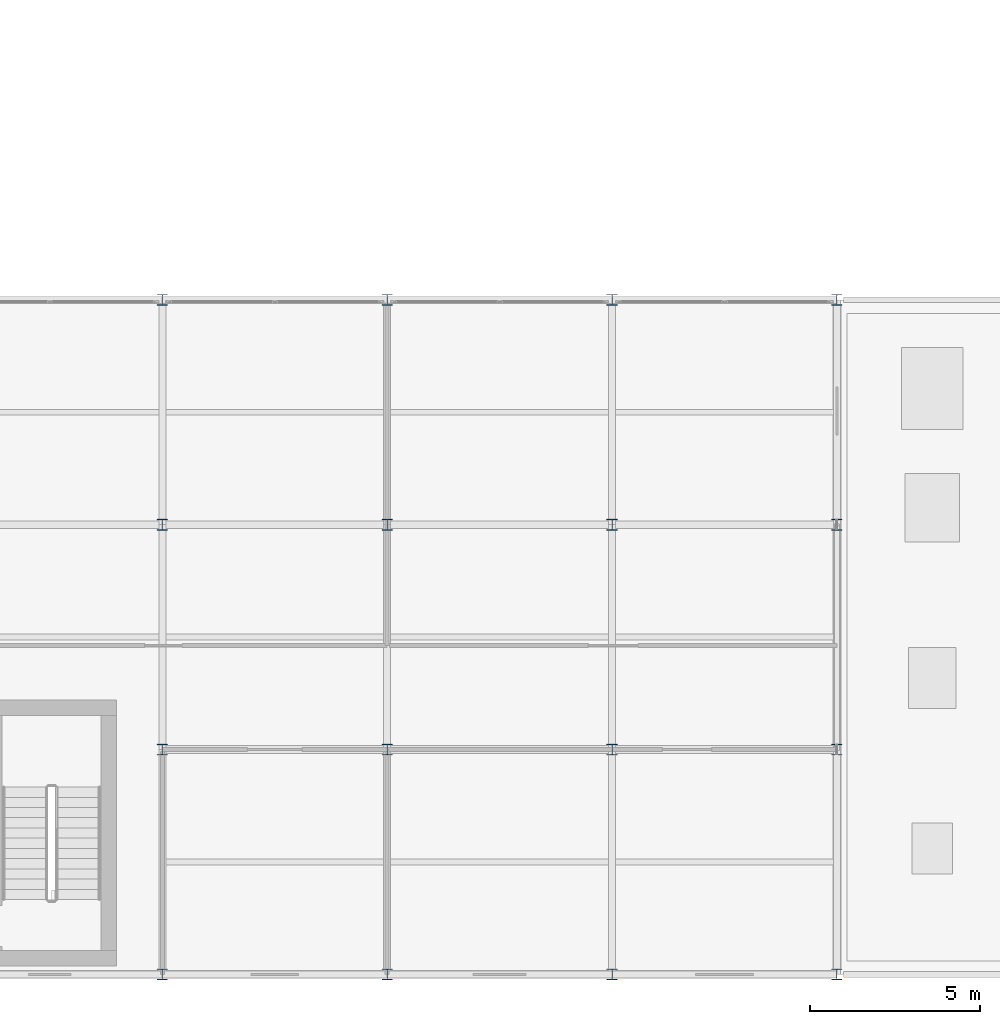
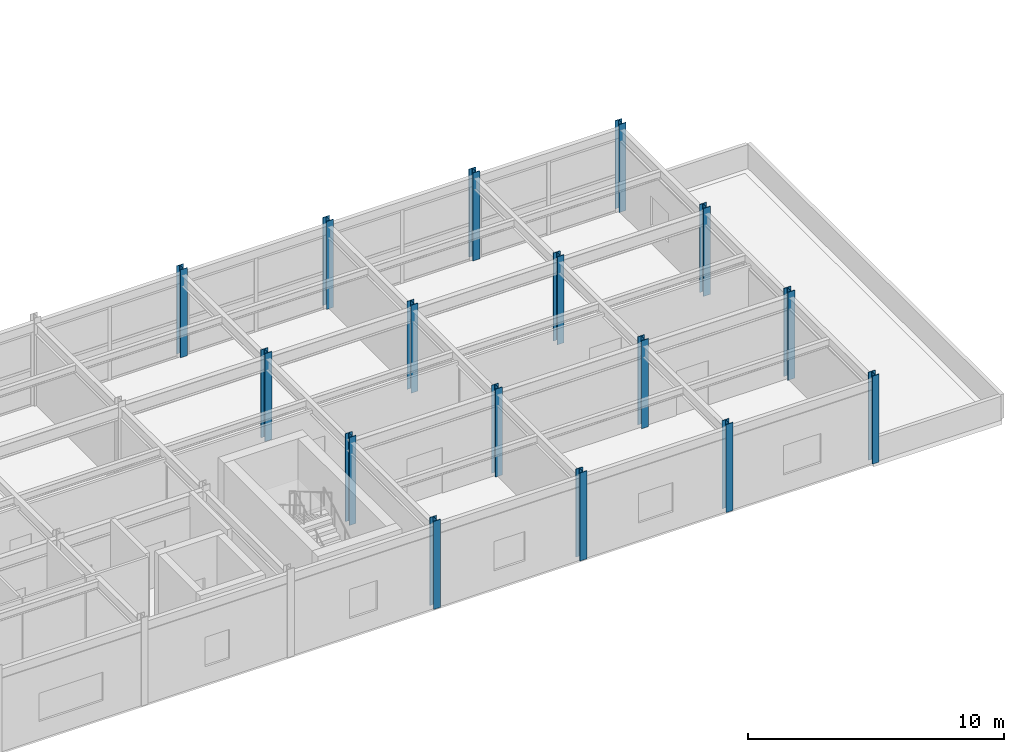
# One storey, part 15 of 106: 16 columns.
"""IFC4 building model written with IfcOpenShell, lengths in metres."""

import ifcopenshell
import ifcopenshell.guid

model = None  # the IFC model being written
_history = None  # IfcOwnerHistory: only IFC2X3 demands one
_inside = {}  # id of a spatial element -> (the spatial element, [elements in it])
_under = {}  # id of a project, library or spatial element -> (it, [spatial elements below it])
_declared = {}  # id of a project -> (the project, [libraries it declares])
_typed = {}  # id of a type object -> (the type object, [elements of that type])
_made_of = {}  # id of a material, layer set ... -> (it, [elements and type objects made of it])


def new_model(schema):
    """Start an empty IFC model of exactly this schema.

    Asked for "IFC4X3", IfcOpenShell would pick the latest addendum, in which some entities
    have other attributes; the version numbers below select the first issue.
    IFC2X3 requires an IfcOwnerHistory on every rooted entity: one is made here for all.
    """
    global model, _history
    if schema == "IFC4X3":
        model = ifcopenshell.file(schema_version=(4, 3, 0, 0))
    else:
        model = ifcopenshell.file(schema=schema)
    _inside.clear()
    _under.clear()
    _declared.clear()
    _typed.clear()
    _made_of.clear()
    _history = None
    if model.schema == "IFC2X3":
        org = make("IfcOrganization", Name="unknown")
        user = make(
            "IfcPersonAndOrganization",
            ThePerson=make("IfcPerson", FamilyName="unknown"),
            TheOrganization=org,
        )
        app = make(
            "IfcApplication",
            ApplicationDeveloper=org,
            Version="unknown",
            ApplicationFullName="unknown",
            ApplicationIdentifier="unknown",
        )
        _history = make(
            "IfcOwnerHistory",
            OwningUser=user,
            OwningApplication=app,
            ChangeAction="ADDED",
            CreationDate=0,
        )
    return model


def make(cls, **values):
    """One entity of the class cls with the attributes given. An attribute that is None is left unset."""
    return model.create_entity(
        cls, **{name: value for name, value in values.items() if value is not None}
    )


def rooted(cls, **values):
    """An entity with a GlobalId (a new one), such as an element, a storey or a relation."""
    return make(cls, GlobalId=ifcopenshell.guid.new(), OwnerHistory=_history, **values)


def si_unit(unit_type, name, prefix=None):
    """IfcSIUnit, for example si_unit("LENGTHUNIT", "METRE", prefix="MILLI")."""
    return make("IfcSIUnit", UnitType=unit_type, Prefix=prefix, Name=name)


def assignment(units):
    """IfcUnitAssignment: the units of a project."""
    return None if units is None else make("IfcUnitAssignment", Units=units)


def point(xyz):
    """IfcCartesianPoint."""
    return None if xyz is None else make("IfcCartesianPoint", Coordinates=xyz)


def direction(xyz):
    """IfcDirection."""
    return None if xyz is None else make("IfcDirection", DirectionRatios=xyz)


def frame(location, z_axis=None, x_axis=None):
    """IfcAxis2Placement3D, a coordinate frame: its origin and axes. An axis left out is left unset."""
    return make(
        "IfcAxis2Placement3D",
        Location=point(location),
        Axis=direction(z_axis),
        RefDirection=direction(x_axis),
    )


def frame_2d(location, x_axis=None):
    """IfcAxis2Placement2D, a coordinate frame in the plane: its origin and x axis."""
    return make(
        "IfcAxis2Placement2D", Location=point(location), RefDirection=direction(x_axis)
    )


def origin():
    """The frame at (0, 0, 0) with its axes left unset."""
    return frame((0.0, 0.0, 0.0))


def origin_2d():
    """The frame at (0, 0) in the plane with its x axis left unset."""
    return frame_2d((0.0, 0.0))


def place(relative_to, where):
    """IfcLocalPlacement: puts the frame where relative to a parent placement (None: the world)."""
    return make(
        "IfcLocalPlacement", PlacementRelTo=relative_to, RelativePlacement=where
    )


def context(
    kind, dimensions, precision=None, world=None, true_north=None, identifier=None
):
    """IfcGeometricRepresentationContext, for example the 3D "Model" context."""
    return make(
        "IfcGeometricRepresentationContext",
        ContextIdentifier=identifier,
        ContextType=kind,
        CoordinateSpaceDimension=dimensions,
        Precision=precision,
        WorldCoordinateSystem=world,
        TrueNorth=true_north,
    )


def subcontext(parent, identifier, kind, view, scale=None):
    """IfcGeometricRepresentationSubContext, for example "Body" below "Model"."""
    return make(
        "IfcGeometricRepresentationSubContext",
        ContextIdentifier=identifier,
        ContextType=kind,
        ParentContext=parent,
        TargetScale=scale,
        TargetView=view,
    )


def project(units=None, contexts=None):
    """IfcProject with its units and contexts."""
    return rooted(
        "IfcProject",
        Name="project",
        RepresentationContexts=contexts,
        UnitsInContext=assignment(units),
    )


def spatial(cls, under=None, at=None, **own):
    """A site, building, storey or space (cls), placed at a placement, below another one or the project."""
    s = rooted(cls, ObjectPlacement=at, **own)
    if under is not None:
        _under.setdefault(under.id(), (under, []))[1].append(s)
    return s


def profile(cls, at=None, kind="AREA", **sizes):
    """A parametric profile (cls). Its sizes go by their IFC names, for example OverallWidth=200.0."""
    return make(cls, ProfileType=kind, Position=at, **sizes)


def i_section(**sizes):
    """IfcIShapeProfileDef."""
    return profile("IfcIShapeProfileDef", **sizes)


def extrude(swept, where, along, depth):
    """IfcExtrudedAreaSolid: the profile swept, set in the frame where, extruded along a direction by depth."""
    return make(
        "IfcExtrudedAreaSolid",
        SweptArea=swept,
        Position=where,
        ExtrudedDirection=direction(along),
        Depth=depth,
    )


def shape(context_of_items, identifier, shape_type, items):
    """IfcShapeRepresentation: the items that make up one representation, for example the "Body"."""
    return make(
        "IfcShapeRepresentation",
        ContextOfItems=context_of_items,
        RepresentationIdentifier=identifier,
        RepresentationType=shape_type,
        Items=items,
    )


def material(Name=None, Category=None):
    """IfcMaterial."""
    return make("IfcMaterial", Name=Name, Category=Category)


def material_profile(
    of_material, cross_section, Name=None, Category=None, Priority=None
):
    """IfcMaterialProfile: a cross section and its material."""
    return make(
        "IfcMaterialProfile",
        Name=Name,
        Material=of_material,
        Profile=cross_section,
        Priority=Priority,
        Category=Category,
    )


def profile_set(profiles, Name=None, composite=None):
    """IfcMaterialProfileSet."""
    return make(
        "IfcMaterialProfileSet",
        Name=Name,
        MaterialProfiles=profiles,
        CompositeProfile=composite,
    )


def made_of(thing, what):
    """Note that an element or type object is made of a material, layer set ...; save() writes the relation."""
    if what is not None:
        _made_of.setdefault(what.id(), (what, []))[1].append(thing)
    return thing


def type_object(cls, material=None, **own):
    """A type object (cls), such as IfcWallType, which elements share."""
    return made_of(rooted(cls, **own), material)


def element(
    cls,
    number,
    at=None,
    inside=None,
    cuts=None,
    type_object=None,
    material=None,
    context=None,
    identifier="Body",
    shape_type=None,
    held_by="IfcProductDefinitionShape",
    body=None,
    shapes=None,
    **own,
):
    """One element of the class cls, such as IfcWall. Its Tag is "e" and its number.

    at: its placement. inside: the storey or other place that contains it. cuts: it is an
    opening in that element (IfcRelVoidsElement). A single representation is given by context,
    identifier, shape_type and body (its items); several are given by shapes. held_by: the class
    of the entity that holds the representations. save() writes the other relations.
    """
    e = rooted(cls, Tag="e%d" % number, ObjectPlacement=at, **own)
    if body is not None:
        shapes = [shape(context, identifier, shape_type, body)]
    if shapes is not None:
        e.Representation = make(held_by, Representations=shapes)
    if inside is not None:
        _inside.setdefault(inside.id(), (inside, []))[1].append(e)
    if cuts is not None:
        rooted(
            "IfcRelVoidsElement", RelatingBuildingElement=cuts, RelatedOpeningElement=e
        )
    if type_object is not None:
        _typed.setdefault(type_object.id(), (type_object, []))[1].append(e)
    return made_of(e, material)


def aggregate(whole, parts):
    """IfcRelAggregates: a whole, such as a stair, and the parts it consists of."""
    return rooted("IfcRelAggregates", RelatingObject=whole, RelatedObjects=parts)


def save(model, path):
    """Write the relations noted so far, then the file.

    IfcRelAggregates (storeys below a building ...), IfcRelContainedInSpatialStructure (elements
    in a storey), IfcRelDefinesByType, IfcRelAssociatesMaterial and IfcRelDeclares: one each for
    every whole, place, type object, material and project.
    """
    for whole, parts in _under.values():
        aggregate(whole, parts)
    for where, things in _inside.values():
        rooted(
            "IfcRelContainedInSpatialStructure",
            RelatedElements=things,
            RelatingStructure=where,
        )
    for kind, things in _typed.values():
        rooted("IfcRelDefinesByType", RelatedObjects=things, RelatingType=kind)
    for what, things in _made_of.values():
        rooted("IfcRelAssociatesMaterial", RelatedObjects=things, RelatingMaterial=what)
    for by, libraries in _declared.values():
        rooted("IfcRelDeclares", RelatingContext=by, RelatedDefinitions=libraries)
    model.write(path)


model = new_model("IFC4")

# Units and contexts
model_context = context("Model", 3, precision=1e-05, world=origin(), true_north=direction((0.0, 1.0)))
body_context = subcontext(model_context, "Body", "Model", "MODEL_VIEW")
ifc_project = project(units=[si_unit("LENGTHUNIT", "METRE"), si_unit("AREAUNIT", "SQUARE_METRE"), si_unit("VOLUMEUNIT", "CUBIC_METRE"), si_unit("PLANEANGLEUNIT", "RADIAN"), si_unit("MASSUNIT", "GRAM", prefix="KILO")], contexts=[model_context])

# Site, building, storey
site_placement = place(None, origin())
site = spatial("IfcSite", under=ifc_project, at=site_placement, CompositionType="ELEMENT")
building_placement = place(site_placement, origin())
building = spatial("IfcBuilding", under=site, at=building_placement, Name="Karori Crest Natural Sciences Institute", CompositionType="ELEMENT")
storey_placement = place(building_placement, frame((0.0, 0.0, 25.89990234375)))
storey = spatial("IfcBuildingStorey", under=building, at=storey_placement, Name="L06", CompositionType="ELEMENT", Elevation=25.89990234375)

# Columns
ifc_material = material(Name="Structural steel AS/NZS 3679.1 Grade 350", Category="steel")
ifc_material_profile_1 = material_profile(ifc_material, i_section(OverallWidth=0.31103515625, OverallDepth=0.326904296875, WebThickness=0.015625, FlangeThickness=0.02490234375, FilletRadius=0.01708984375, at=origin_2d()), Name="310UC158")
ifc_profile_set_1 = profile_set([ifc_material_profile_1], Name="Structural steel AS/NZS 3679.1 Grade 350")
column_type_1 = type_object("IfcColumnType", Name="CT-04", PredefinedType="COLUMN", material=ifc_profile_set_1)
for number, where, z_axis, x_axis, name in (
    (1, (136.60009765625, 0.800048828125, 0.0), (0.0, 0.0, 1.0), (1.0, 0.0, 0.0), "Column C-1264"),
    (2, (136.60009765625, 20.60009765625, 0.0), (0.0, 0.0, 1.0), (1.0, 0.0, 0.0), "Column C-1300"),
    (3, (143.199951171875, 0.800048828125, 0.0), (0.0, 0.0, 1.0), (1.0, 0.0, 0.0), "Column C-1312"),
    (4, (143.199951171875, 20.60009765625, 0.0), (0.0, 0.0, 1.0), (1.0, 0.0, 0.0), "Column C-1345"),
    (5, (149.800048828125, 0.800048828125, 0.0), (0.0, 0.0, 1.0), (1.0, 0.0, 0.0), "Column C-1356"),
    (6, (149.800048828125, 20.60009765625, 0.0), (0.0, 0.0, 1.0), (1.0, 0.0, 0.0), "Column C-1389"),
    (7, (156.39990234375, 0.800048828125, 0.0), (0.0, 0.0, 1.0), (1.0, 0.0, 0.0), "Column C-1400"),
    (8, (156.39990234375, 20.60009765625, 0.0), (0.0, 0.0, 1.0), (1.0, 0.0, 0.0), "Column C-1427"),
):
    element("IfcColumn", number, at=place(storey_placement, frame(where, z_axis=z_axis, x_axis=x_axis)), inside=storey, type_object=column_type_1, Name=name, PredefinedType="COLUMN", context=body_context, shape_type="SweptSolid", body=[
        extrude(i_section(OverallWidth=0.31103515625, OverallDepth=0.326904296875, WebThickness=0.015625, FlangeThickness=0.02490234375, FilletRadius=0.01708984375, at=origin_2d()), origin(), (0.0, 0.0, 1.0), 4.2001953125),
    ])
ifc_material_profile_2 = material_profile(ifc_material, i_section(OverallWidth=0.31103515625, OverallDepth=0.326904296875, WebThickness=0.015625, FlangeThickness=0.02490234375, FilletRadius=0.01708984375, at=origin_2d()), Name="310UC158")
ifc_profile_set_2 = profile_set([ifc_material_profile_2], Name="Structural steel AS/NZS 3679.1 Grade 350")
column_type_2 = type_object("IfcColumnType", Name="CT-04-IL", PredefinedType="COLUMN", material=ifc_profile_set_2)
for number, where, z_axis, x_axis, name in (
    (9, (136.60009765625, 7.39990234375, 0.0), (0.0, 0.0, 1.0), (1.0, 0.0, 0.0), "Column C-1276"),
    (10, (136.60009765625, 14.0, 0.0), (0.0, 0.0, 1.0), (1.0, 0.0, 0.0), "Column C-1288"),
    (11, (143.199951171875, 7.39990234375, 0.0), (0.0, 0.0, 1.0), (1.0, 0.0, 0.0), "Column C-1323"),
    (12, (143.199951171875, 14.0, 0.0), (0.0, 0.0, 1.0), (1.0, 0.0, 0.0), "Column C-1334"),
    (13, (149.800048828125, 7.39990234375, 0.0), (0.0, 0.0, 1.0), (1.0, 0.0, 0.0), "Column C-1367"),
    (14, (149.800048828125, 14.0, 0.0), (0.0, 0.0, 1.0), (1.0, 0.0, 0.0), "Column C-1378"),
    (15, (156.39990234375, 7.39990234375, 0.0), (0.0, 0.0, 1.0), (1.0, 0.0, 0.0), "Column C-1409"),
    (16, (156.39990234375, 14.0, 0.0), (0.0, 0.0, 1.0), (1.0, 0.0, 0.0), "Column C-1418"),
):
    element("IfcColumn", number, at=place(storey_placement, frame(where, z_axis=z_axis, x_axis=x_axis)), inside=storey, type_object=column_type_2, Name=name, PredefinedType="COLUMN", context=body_context, shape_type="SweptSolid", body=[
        extrude(i_section(OverallWidth=0.31103515625, OverallDepth=0.326904296875, WebThickness=0.015625, FlangeThickness=0.02490234375, FilletRadius=0.01708984375, at=origin_2d()), origin(), (0.0, 0.0, 1.0), 4.2001953125),
    ])

save(model, "model.ifc")
